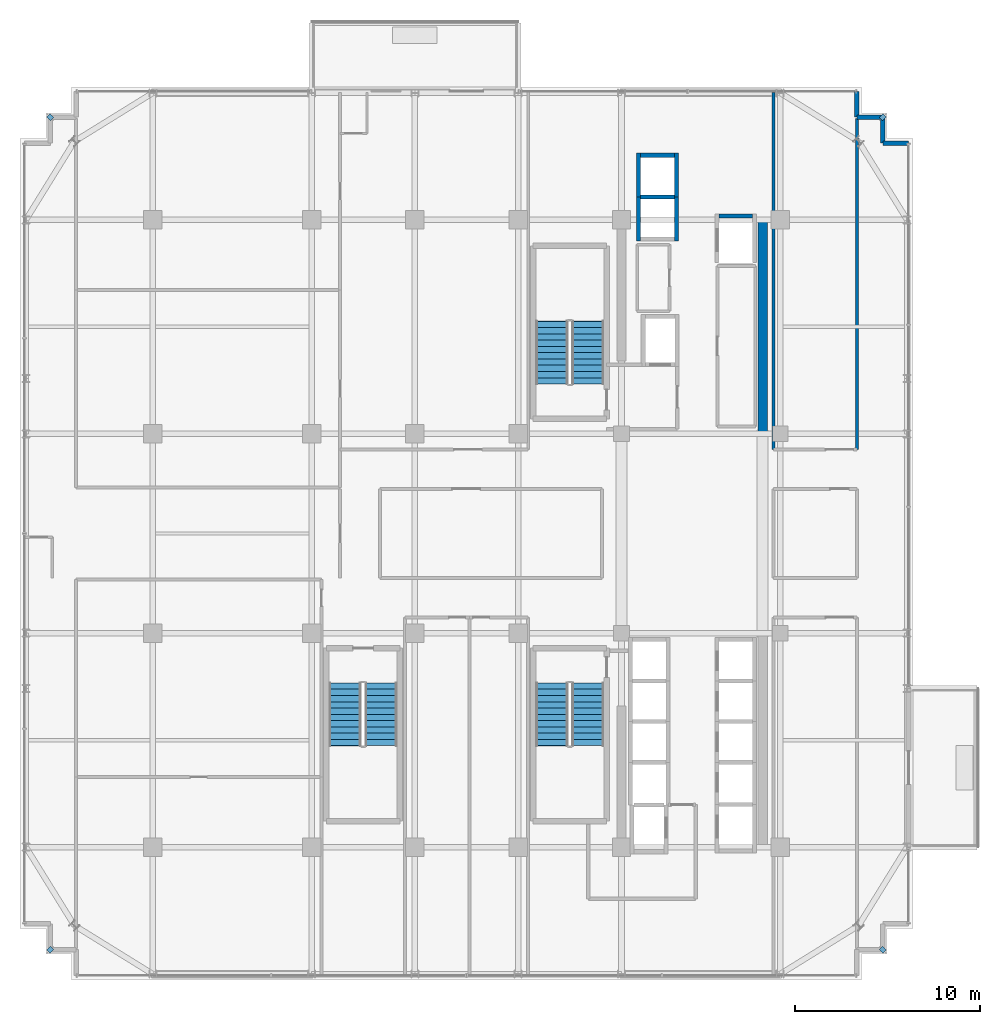
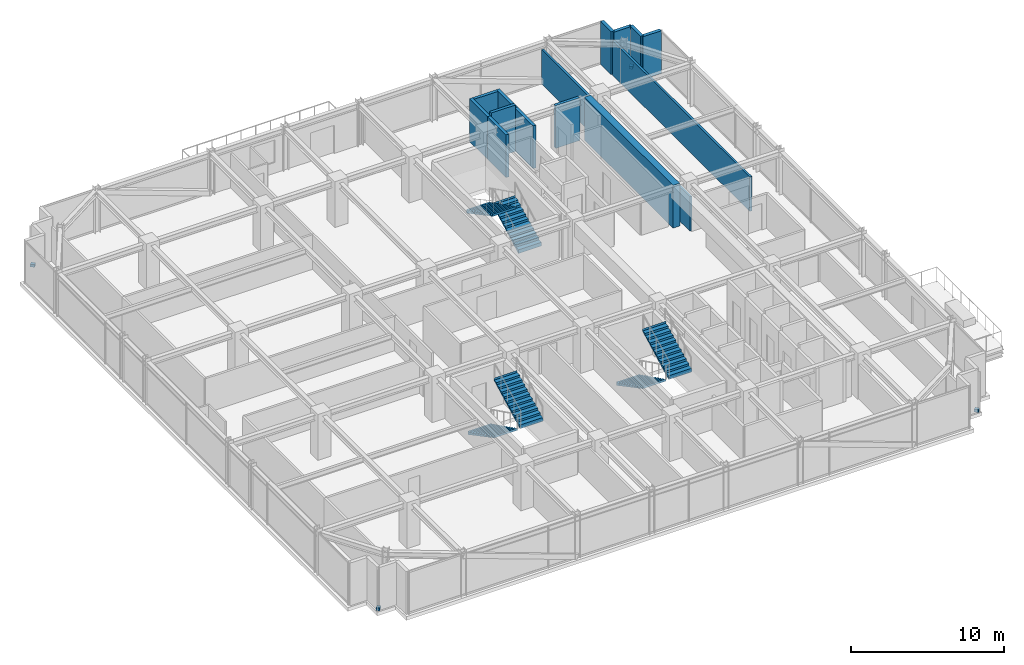
# One storey, part 39 of 42: 14 walls, 6 stair flights, 4 discrete accessories, 3 elements without a shape of their own.
"""IFC4 building model written with IfcOpenShell, lengths in metres."""

from ifc_helpers import new_model, si_unit, direction, frame, frame_2d, origin, origin_2d, place, context, subcontext, project, spatial, polyline, rectangle, outline, extrude, source, transform, mapped, material, layer, layer_set, type_object, element, aggregate, save


model = new_model("IFC4")

# Units and contexts
model_context = context("Model", 3, precision=1e-05, world=origin(), true_north=direction((0.0, 1.0)))
body_context = subcontext(model_context, "Body", "Model", "MODEL_VIEW")
ifc_project = project(units=[si_unit("LENGTHUNIT", "METRE"), si_unit("AREAUNIT", "SQUARE_METRE"), si_unit("VOLUMEUNIT", "CUBIC_METRE"), si_unit("PLANEANGLEUNIT", "RADIAN"), si_unit("MASSUNIT", "GRAM", prefix="KILO")], contexts=[model_context])

# Site, building, storey
site_placement = place(None, origin())
site = spatial("IfcSite", under=ifc_project, at=site_placement, CompositionType="ELEMENT")
building_placement = place(site_placement, origin())
building = spatial("IfcBuilding", under=site, at=building_placement, Name="Nahalor Promenade Grand Hotel", CompositionType="ELEMENT")
storey_placement = place(building_placement, frame((0.0, 0.0, 249.300048828125)))
storey = spatial("IfcBuildingStorey", under=building, at=storey_placement, Name="L64", CompositionType="ELEMENT", Elevation=249.300048828125)

# Walls
ifc_material_1 = material(Name="Concrete B-60 (C50/60)", Category="concrete")
ifc_layer_1 = layer(ifc_material_1, 0.5)
ifc_layer_set_1 = layer_set([ifc_layer_1], Name="Concrete B-60 (C50/60)")
wall_type_1 = type_object("IfcWallType", Name="Wall-CoreShear-500", PredefinedType="SHEAR", material=ifc_layer_set_1)
shared_shape_1 = source(origin(), body_context, "Body", "SweptSolid", [
    extrude(rectangle(XDim=11.60009765625, YDim=0.5, at=frame_2d((5.800048828125, 0.0))), origin(), (0.0, 0.0, 1.0), 3.409912109375),
])
wall_1_placement = place(storey_placement, frame((16.050048828125, 5.39990234375, 0.0), z_axis=(0.0, 0.0, 1.0), x_axis=(0.0, 1.0, 0.0)))
element("IfcWall", 1, at=wall_1_placement, inside=storey, type_object=wall_type_1, Name="CWALL-L64-NE", PredefinedType="SHEAR", context=body_context, shape_type="MappedRepresentation", body=[
    mapped(shared_shape_1, transform((0.0, 0.0, 0.0), scale=1.0)),
])
ifc_material_2 = material(Name="Concrete B-50 (C40/50)", Category="concrete")
ifc_layer_2 = layer(ifc_material_2, 0.219970703125)
ifc_layer_set_2 = layer_set([ifc_layer_2], Name="Concrete B-50 (C40/50)")
wall_type_2 = type_object("IfcWallType", Name="Wall-LiftShaft-220", PredefinedType="SHEAR", material=ifc_layer_set_2)
shared_shape_2 = source(origin(), body_context, "Body", "SweptSolid", [
    extrude(rectangle(XDim=1.820068359375, YDim=0.219970703125, at=frame_2d((0.91015625, 0.0))), origin(), (0.0, 0.0, 1.0), 3.409912109375),
])
for number, where, z_axis, x_axis, name in (
    (2, (9.43994140625, 20.5, 0.0), (0.0, 0.0, 1.0), (1.0, 0.0, 0.0), "L64 Lift OB2 Hoistway Wall N"),
    (3, (13.68994140625, 17.199951171875, 0.0), (0.0, 0.0, 1.0), (1.0, 0.0, 0.0), "L64 Lift SV1 Hoistway Wall N"),
):
    element("IfcWall", number, at=place(storey_placement, frame(where, z_axis=z_axis, x_axis=x_axis)), inside=storey, type_object=wall_type_2, Name=name, PredefinedType="SHEAR", context=body_context, shape_type="MappedRepresentation", body=[
        mapped(shared_shape_2, transform((0.0, 0.0, 0.0), scale=1.0)),
    ])
shared_shape_3 = source(origin(), body_context, "Body", "SweptSolid", [
    extrude(rectangle(XDim=1.820068359375, YDim=0.219970703125, at=frame_2d((0.91015625, 0.0))), origin(), (0.0, 0.0, 1.0), 3.699951171875),
])
wall_2_placement = place(storey_placement, frame((9.43994140625, 18.22509765625, 0.0), z_axis=(0.0, 0.0, 1.0), x_axis=(1.0, 0.0, 0.0)))
element("IfcWall", 4, at=wall_2_placement, inside=storey, type_object=wall_type_2, Name="L64 Lift OB1 Hoistway Wall N", PredefinedType="SHEAR", context=body_context, shape_type="MappedRepresentation", body=[
    mapped(shared_shape_3, transform((0.0, 0.0, 0.0), scale=1.0)),
])
shared_shape_4 = source(origin(), body_context, "Body", "SweptSolid", [
    extrude(rectangle(XDim=2.385009765625, YDim=0.219970703125, at=frame_2d((1.1923828125, 0.0))), origin(), (0.0, 0.0, 1.0), 3.409912109375),
])
for number, where, z_axis, x_axis, name in (
    (5, (9.330078125, 15.840087890625, 0.0), (0.0, 0.0, 1.0), (0.0, 1.0, 0.0), "L64 Lift OB1 Hoistway Wall W"),
    (6, (11.3701171875, 15.840087890625, 0.0), (0.0, 0.0, 1.0), (0.0, 1.0, 0.0), "L64 Lift OB1 Hoistway Wall E"),
    (7, (9.330078125, 18.22509765625, 0.0), (0.0, 0.0, 1.0), (0.0, 1.0, 0.0), "L64 Lift OB2 Hoistway Wall W"),
    (8, (11.3701171875, 18.22509765625, 0.0), (0.0, 0.0, 1.0), (0.0, 1.0, 0.0), "L64 Lift OB2 Hoistway Wall E"),
):
    element("IfcWall", number, at=place(storey_placement, frame(where, z_axis=z_axis, x_axis=x_axis)), inside=storey, type_object=wall_type_2, Name=name, PredefinedType="SHEAR", context=body_context, shape_type="MappedRepresentation", body=[
        mapped(shared_shape_4, transform((0.0, 0.0, 0.0), scale=1.0)),
    ])
ifc_material_3 = material(Name="Concrete B-40 (C32/40)", Category="concrete")
ifc_layer_3 = layer(ifc_material_3, 0.25)
ifc_layer_set_3 = layer_set([ifc_layer_3], Name="Concrete B-40 (C32/40)")
wall_type_3 = type_object("IfcWallType", Name="Wall-BronzePier-250", PredefinedType="STANDARD", material=ifc_layer_set_3)
shared_shape_5 = source(origin(), body_context, "Body", "SweptSolid", [
    extrude(rectangle(XDim=1.39990234375, YDim=0.25, at=frame_2d((0.699951171875, 0.0))), origin(), (0.0, 0.0, 1.0), 3.409912109375),
])
for number, where, z_axis, x_axis, name in (
    (9, (22.56005859375, 21.159912109375, 0.0), (0.0, 0.0, 1.0), (1.0, 0.0, 0.0), "W-L64-SR-05"),
    (10, (21.159912109375, 22.56005859375, 0.0), (0.0, 0.0, 1.0), (0.0, 1.0, 0.0), "W-L64-SR-08"),
):
    element("IfcWall", number, at=place(storey_placement, frame(where, z_axis=z_axis, x_axis=x_axis)), inside=storey, type_object=wall_type_3, Name=name, PredefinedType="STANDARD", context=body_context, shape_type="MappedRepresentation", body=[
        mapped(shared_shape_5, transform((0.0, 0.0, 0.0), scale=1.0)),
    ])
shared_shape_6 = source(origin(), body_context, "Body", "SweptSolid", [
    extrude(rectangle(XDim=1.400146484375, YDim=0.25, at=frame_2d((0.7001953125, 0.0))), origin(), (0.0, 0.0, 1.0), 3.409912109375),
])
for number, where, z_axis, x_axis, name in (
    (11, (22.56005859375, 21.159912109375, 0.0), (0.0, 0.0, 1.0), (0.0, 1.0, 0.0), "W-L64-SR-06"),
    (12, (21.159912109375, 22.56005859375, 0.0), (0.0, 0.0, 1.0), (1.0, 0.0, 0.0), "W-L64-SR-07"),
):
    element("IfcWall", number, at=place(storey_placement, frame(where, z_axis=z_axis, x_axis=x_axis)), inside=storey, type_object=wall_type_3, Name=name, PredefinedType="STANDARD", context=body_context, shape_type="MappedRepresentation", body=[
        mapped(shared_shape_6, transform((0.0, 0.0, 0.0), scale=1.0)),
    ])
ifc_material_4 = material(Name="Acoustic Mineral Gypsum", Category="gypsum")
ifc_layer_4 = layer(ifc_material_4, 0.159912109375)
ifc_layer_set_4 = layer_set([ifc_layer_4], Name="Acoustic Mineral Gypsum")
wall_type_4 = type_object("IfcWallType", Name="Wall-PartCorridor-160", PredefinedType="PARTITIONING", material=ifc_layer_set_4)
shared_shape_7 = source(origin(), body_context, "Body", "SweptSolid", [
    extrude(rectangle(XDim=19.349853515625, YDim=0.159912109375, at=frame_2d((9.6748046875, 0.0))), origin(), (0.0, 0.0, 1.0), 2.75),
])
wall_3_placement = place(storey_placement, frame((16.64990234375, 4.550048828125, 0.0), z_axis=(0.0, 0.0, 1.0), x_axis=(0.0, 1.0, 0.0)))
element("IfcWall", 13, at=wall_3_placement, inside=storey, type_object=wall_type_4, Name="W-L64-ENE-W", PredefinedType="PARTITIONING", context=body_context, shape_type="MappedRepresentation", body=[
    mapped(shared_shape_7, transform((0.0, 0.0, 0.0), scale=1.0)),
])
shared_shape_8 = source(origin(), body_context, "Body", "SweptSolid", [
    extrude(rectangle(XDim=17.929931640625, YDim=0.159912109375, at=frame_2d((8.96484375, 0.0))), origin(), (0.0, 0.0, 1.0), 2.75),
])
wall_4_placement = place(storey_placement, frame((21.159912109375, 4.550048828125, 0.0), z_axis=(0.0, 0.0, 1.0), x_axis=(0.0, 1.0, 0.0)))
element("IfcWall", 14, at=wall_4_placement, inside=storey, type_object=wall_type_4, Name="W-L64-ENE-E", PredefinedType="PARTITIONING", context=body_context, shape_type="MappedRepresentation", body=[
    mapped(shared_shape_8, transform((0.0, 0.0, 0.0), scale=1.0)),
])

# Stair, stair flights
stair_type_1 = type_object("IfcStairType", Name="Stair-ST1", PredefinedType="HALF_TURN_STAIR", material=ifc_material_2)
stair_1_placement = place(storey_placement, origin())
stair_1 = element("IfcStair", 15, at=stair_1_placement, inside=storey, type_object=stair_type_1, Name="L64 ST1", PredefinedType="HALF_TURN_STAIR")
ifc_layer_5 = layer(ifc_material_2, 0.179931640625)
ifc_layer_set_5 = layer_set([ifc_layer_5], Name="Concrete B-50 (C40/50)")
stair_flight_type_1 = type_object("IfcStairFlightType", Name="Flight-ST1", PredefinedType="STRAIGHT", material=ifc_layer_set_5)
shared_shape_9 = source(origin(), body_context, "Body", "SweptSolid", [
    extrude(outline(polyline([(-0.00390625, -0.1201171875), (-0.00390625, 0.0), (0.0, 0.0), (0.0, 0.168212890625), (0.340087890625, 0.168212890625), (0.340087890625, 0.33642578125), (0.679931640625, 0.33642578125), (0.679931640625, 0.504638671875), (1.02001953125, 0.504638671875), (1.02001953125, 0.672607421875), (1.360107421875, 0.672607421875), (1.360107421875, 0.8408203125), (1.699951171875, 0.8408203125), (1.699951171875, 1.009033203125), (2.0400390625, 1.009033203125), (2.0400390625, 1.17724609375), (2.3798828125, 1.17724609375), (2.3798828125, 1.345458984375), (2.719970703125, 1.345458984375), (2.719970703125, 1.513671875), (3.06005859375, 1.513671875), (3.06005859375, 1.681884765625), (3.39990234375, 1.681884765625), (3.39990234375, 1.85009765625), (3.404052734375, 1.85009765625), (3.404052734375, 1.669921875), (0.02001953125, -0.1201171875), (-0.00390625, -0.1201171875)])), frame((0.0, 0.875, 0.0), z_axis=(0.0, -1.0, 0.0), x_axis=(1.0, 0.0, 0.0)), (0.0, 0.0, 1.0), 1.75),
])
stair_flight_1_placement = place(storey_placement, frame((6.574951171875, 8.10009765625, 0.0), z_axis=(0.0, 0.0, 1.0), x_axis=(0.0, 1.0, 0.0)))
stair_flight_1 = element("IfcStairFlight", 16, at=stair_flight_1_placement, type_object=stair_flight_type_1, Name="ST1 flight 1", NumberOfRisers=11, NumberOfTreads=10, PredefinedType="STRAIGHT", RiserHeight=0.168181818, TreadLength=0.34, context=body_context, shape_type="MappedRepresentation", body=[
    mapped(shared_shape_9, transform((0.0, 0.0, 0.0), scale=1.0)),
])
stair_flight_2_placement = place(storey_placement, frame((4.625, 11.5, 1.849853515625), z_axis=(0.0, 0.0, 1.0), x_axis=(0.0, -1.0, 0.0)))
stair_flight_2 = element("IfcStairFlight", 17, at=stair_flight_2_placement, type_object=stair_flight_type_1, Name="ST1 flight 2", NumberOfRisers=11, NumberOfTreads=10, PredefinedType="STRAIGHT", RiserHeight=0.168181818, TreadLength=0.34, context=body_context, shape_type="MappedRepresentation", body=[
    mapped(shared_shape_9, transform((0.0, 0.0, 0.0), scale=1.0)),
])
aggregate(stair_1, [stair_flight_1, stair_flight_2])

stair_type_2 = type_object("IfcStairType", Name="Stair-ST2", PredefinedType="HALF_TURN_STAIR", material=ifc_material_2)
stair_2_placement = place(storey_placement, origin())
stair_2 = element("IfcStair", 18, at=stair_2_placement, inside=storey, type_object=stair_type_2, Name="L64 ST2", PredefinedType="HALF_TURN_STAIR")
ifc_layer_6 = layer(ifc_material_2, 0.18994140625)
ifc_layer_set_6 = layer_set([ifc_layer_6], Name="Concrete B-50 (C40/50)")
stair_flight_type_2 = type_object("IfcStairFlightType", Name="Flight-ST2", PredefinedType="STRAIGHT", material=ifc_layer_set_6)
shared_shape_10 = source(origin(), body_context, "Body", "SweptSolid", [
    extrude(outline(polyline([(-0.00390625, -0.1201171875), (-0.00390625, 0.0), (0.0, 0.0), (0.0, 0.168212890625), (0.340087890625, 0.168212890625), (0.340087890625, 0.33642578125), (0.679931640625, 0.33642578125), (0.679931640625, 0.504638671875), (1.02001953125, 0.504638671875), (1.02001953125, 0.672607421875), (1.360107421875, 0.672607421875), (1.360107421875, 0.8408203125), (1.699951171875, 0.8408203125), (1.699951171875, 1.009033203125), (2.0400390625, 1.009033203125), (2.0400390625, 1.17724609375), (2.3798828125, 1.17724609375), (2.3798828125, 1.345458984375), (2.719970703125, 1.345458984375), (2.719970703125, 1.513671875), (3.06005859375, 1.513671875), (3.06005859375, 1.681884765625), (3.39990234375, 1.681884765625), (3.39990234375, 1.85009765625), (3.404052734375, 1.85009765625), (3.404052734375, 1.669921875), (0.02001953125, -0.1201171875), (-0.00390625, -0.1201171875)])), frame((0.0, 0.875, 0.0), z_axis=(0.0, -1.0, 0.0), x_axis=(1.0, 0.0, 0.0)), (0.0, 0.0, 1.0), 1.75),
])
stair_flight_3_placement = place(storey_placement, frame((4.625, -8.10009765625, 0.0), z_axis=(0.0, 0.0, 1.0), x_axis=(0.0, -1.0, 0.0)))
stair_flight_3 = element("IfcStairFlight", 19, at=stair_flight_3_placement, type_object=stair_flight_type_2, Name="ST2 flight 1", NumberOfRisers=11, NumberOfTreads=10, PredefinedType="STRAIGHT", RiserHeight=0.168181818, TreadLength=0.34, context=body_context, shape_type="MappedRepresentation", body=[
    mapped(shared_shape_10, transform((0.0, 0.0, 0.0), scale=1.0)),
])
stair_flight_4_placement = place(storey_placement, frame((6.574951171875, -11.5, 1.849853515625), z_axis=(0.0, 0.0, 1.0), x_axis=(0.0, 1.0, 0.0)))
stair_flight_4 = element("IfcStairFlight", 20, at=stair_flight_4_placement, type_object=stair_flight_type_2, Name="ST2 flight 2", NumberOfRisers=11, NumberOfTreads=10, PredefinedType="STRAIGHT", RiserHeight=0.168181818, TreadLength=0.34, context=body_context, shape_type="MappedRepresentation", body=[
    mapped(shared_shape_10, transform((0.0, 0.0, 0.0), scale=1.0)),
])
aggregate(stair_2, [stair_flight_3, stair_flight_4])

stair_type_3 = type_object("IfcStairType", Name="Stair-ST3", PredefinedType="HALF_TURN_STAIR", material=ifc_material_2)
stair_3_placement = place(storey_placement, origin())
stair_3 = element("IfcStair", 21, at=stair_3_placement, inside=storey, type_object=stair_type_3, Name="L64 ST3", PredefinedType="HALF_TURN_STAIR")
ifc_layer_7 = layer(ifc_material_2, 0.199951171875)
ifc_layer_set_7 = layer_set([ifc_layer_7], Name="Concrete B-50 (C40/50)")
stair_flight_type_3 = type_object("IfcStairFlightType", Name="Flight-ST3", PredefinedType="STRAIGHT", material=ifc_layer_set_7)
shared_shape_11 = source(origin(), body_context, "Body", "SweptSolid", [
    extrude(outline(polyline([(-0.00390625, -0.1201171875), (-0.00390625, 0.0), (0.0, 0.0), (0.0, 0.168212890625), (0.340087890625, 0.168212890625), (0.340087890625, 0.33642578125), (0.679931640625, 0.33642578125), (0.679931640625, 0.504638671875), (1.02001953125, 0.504638671875), (1.02001953125, 0.672607421875), (1.360107421875, 0.672607421875), (1.360107421875, 0.8408203125), (1.699951171875, 0.8408203125), (1.699951171875, 1.009033203125), (2.0400390625, 1.009033203125), (2.0400390625, 1.17724609375), (2.3798828125, 1.17724609375), (2.3798828125, 1.345458984375), (2.719970703125, 1.345458984375), (2.719970703125, 1.513671875), (3.06005859375, 1.513671875), (3.06005859375, 1.681884765625), (3.39990234375, 1.681884765625), (3.39990234375, 1.85009765625), (3.404052734375, 1.85009765625), (3.404052734375, 1.669921875), (0.02001953125, -0.1201171875), (-0.00390625, -0.1201171875)])), frame((0.0, 0.875, 0.0), z_axis=(0.0, -1.0, 0.0), x_axis=(1.0, 0.0, 0.0)), (0.0, 0.0, 1.0), 1.75),
])
stair_flight_5_placement = place(storey_placement, frame((-6.574951171875, -8.10009765625, 0.0), z_axis=(0.0, 0.0, 1.0), x_axis=(0.0, -1.0, 0.0)))
stair_flight_5 = element("IfcStairFlight", 22, at=stair_flight_5_placement, type_object=stair_flight_type_3, Name="ST3 flight 1", NumberOfRisers=11, NumberOfTreads=10, PredefinedType="STRAIGHT", RiserHeight=0.168181818, TreadLength=0.34, context=body_context, shape_type="MappedRepresentation", body=[
    mapped(shared_shape_11, transform((0.0, 0.0, 0.0), scale=1.0)),
])
stair_flight_6_placement = place(storey_placement, frame((-4.625, -11.5, 1.849853515625), z_axis=(0.0, 0.0, 1.0), x_axis=(0.0, 1.0, 0.0)))
stair_flight_6 = element("IfcStairFlight", 23, at=stair_flight_6_placement, type_object=stair_flight_type_3, Name="ST3 flight 2", NumberOfRisers=11, NumberOfTreads=10, PredefinedType="STRAIGHT", RiserHeight=0.168181818, TreadLength=0.34, context=body_context, shape_type="MappedRepresentation", body=[
    mapped(shared_shape_11, transform((0.0, 0.0, 0.0), scale=1.0)),
])
aggregate(stair_3, [stair_flight_5, stair_flight_6])

# Discrete accessories
ifc_material_5 = material(Name="Steel S355JR", Category="steel")
discrete_accessory_type = type_object("IfcDiscreteAccessoryType", Name="Bracket-FacadeCleat-Bronze", PredefinedType="BRACKET", material=ifc_material_5)
shared_shape_12 = source(origin(), body_context, "Body", "SweptSolid", [
    extrude(rectangle(XDim=0.300048828125, YDim=0.239990234375, at=origin_2d()), origin(), (0.0, 0.0, 1.0), 0.219970703125),
])
for number, where, z_axis, x_axis, name in (
    (24, (-22.56005859375, -22.56005859375, 0.0), (0.0, 0.0, 1.0), (0.707106781187, 0.707106781187, 0.0), "BK-L64-SW"),
    (25, (22.56005859375, -22.56005859375, 0.0), (0.0, 0.0, 1.0), (-0.707106781187, 0.707106781187, 0.0), "BK-L64-SE"),
    (26, (22.56005859375, 22.56005859375, 0.0), (0.0, 0.0, 1.0), (0.707106781187, 0.707106781187, 0.0), "BK-L64-NE"),
    (27, (-22.56005859375, 22.56005859375, 0.0), (0.0, 0.0, 1.0), (-0.707106781187, 0.707106781187, 0.0), "BK-L64-NW"),
):
    element("IfcDiscreteAccessory", number, at=place(storey_placement, frame(where, z_axis=z_axis, x_axis=x_axis)), inside=storey, type_object=discrete_accessory_type, Name=name, PredefinedType="BRACKET", context=body_context, shape_type="MappedRepresentation", body=[
        mapped(shared_shape_12, transform((0.0, 0.0, 0.0), scale=1.0)),
    ])

save(model, "model.ifc")
